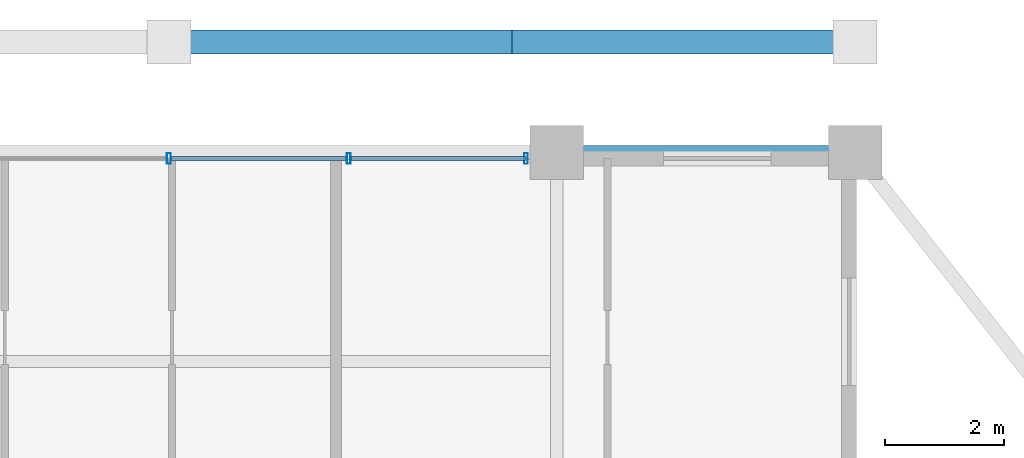
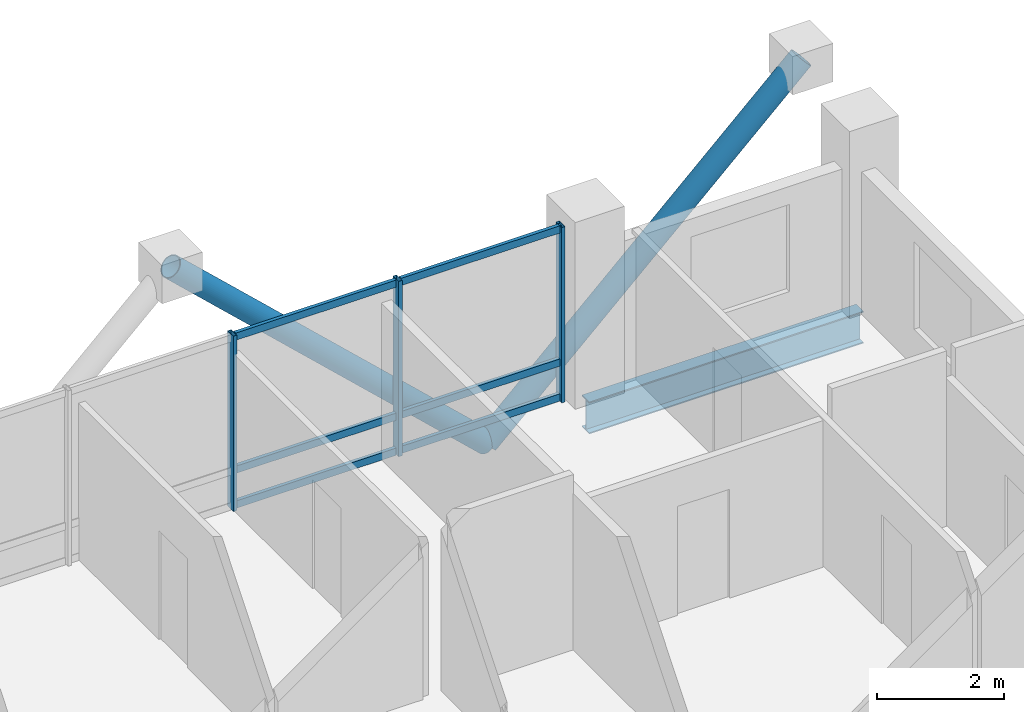
# One storey, part 16 of 23: 11 members, 1 beam, 1 element without a shape of its own.
"""IFC4 building model written with IfcOpenShell, lengths in metres."""

from ifc_helpers import new_model, si_unit, direction, frame, origin, origin_2d, place, context, subcontext, project, spatial, hollow_rectangle, hollow_circle, i_section, extrude, material, layer, layer_set, material_profile, profile_set, type_object, element, aggregate, save


model = new_model("IFC4")

# Units and contexts
model_context = context("Model", 3, precision=1e-05, world=origin(), true_north=direction((0.0, 1.0)))
body_context = subcontext(model_context, "Body", "Model", "MODEL_VIEW")
ifc_project = project(units=[si_unit("LENGTHUNIT", "METRE"), si_unit("AREAUNIT", "SQUARE_METRE"), si_unit("VOLUMEUNIT", "CUBIC_METRE"), si_unit("PLANEANGLEUNIT", "RADIAN"), si_unit("MASSUNIT", "GRAM", prefix="KILO")], contexts=[model_context])

# Site, building, storey
site_placement = place(None, origin())
site = spatial("IfcSite", under=ifc_project, at=site_placement, CompositionType="ELEMENT")
building_placement = place(site_placement, origin())
building = spatial("IfcBuilding", under=site, at=building_placement, Name="Barlavira Tower and Art Museum", CompositionType="ELEMENT")
storey_placement = place(building_placement, frame((0.0, 0.0, 236.699951171875)))
storey = spatial("IfcBuildingStorey", under=building, at=storey_placement, Name="L61", CompositionType="ELEMENT", Elevation=236.699951171875)

# Curtain wall, members
ifc_material_1 = material(Name="Low-iron coastal laminated glass", Category="glass")
ifc_layer = layer(ifc_material_1, 0.2099609375, Name="Low-iron coastal laminated glass")
ifc_layer_set = layer_set([ifc_layer], Name="Low-iron coastal laminated glass")
curtain_wall_type = type_object("IfcCurtainWallType", Name="Pale-Metal Unitised Curtain Wall Zone 4", PredefinedType="NOTDEFINED", material=ifc_layer_set)
curtain_wall_placement = place(storey_placement, origin())
curtain_wall = element("IfcCurtainWall", 1, at=curtain_wall_placement, inside=storey, type_object=curtain_wall_type, Name="L61 Curtain Wall CW4-L61-N-B2", PredefinedType="NOTDEFINED")
ifc_material_2 = material(Name="Pale anodised aluminium", Category="aluminium")
ifc_material_profile_1 = material_profile(ifc_material_2, hollow_rectangle(XDim=0.06494140625, YDim=0.179931640625, WallThickness=0.00390625, at=origin_2d()), Name="ALU-MULL 65x180x4")
ifc_profile_set_1 = profile_set([ifc_material_profile_1], Name="Pale anodised aluminium")
member_type_1 = type_object("IfcMemberType", Name="Curtain Wall Pale-Metal Mullion 65x180", PredefinedType="MULLION", material=ifc_profile_set_1)
member_1_placement = place(storey_placement, frame((5.985107421875, 19.89990234375, 0.0), z_axis=(0.0, 0.0, 1.0), x_axis=(-1.0, 0.0, 0.0)))
member_1 = element("IfcMember", 2, at=member_1_placement, type_object=member_type_1, Name="CW4-L61-N-B2 Mullion 0", PredefinedType="MULLION", context=body_context, shape_type="SweptSolid", body=[
    extrude(hollow_rectangle(XDim=0.06494140625, YDim=0.179931640625, WallThickness=0.00390625, at=origin_2d()), origin(), (0.0, 0.0, 1.0), 3.380126953125),
])
member_2_placement = place(storey_placement, frame((3.014892578125, 19.89990234375, 0.0), z_axis=(0.0, 0.0, 1.0), x_axis=(-1.0, 0.0, 0.0)))
member_2 = element("IfcMember", 3, at=member_2_placement, type_object=member_type_1, Name="CW4-L61-N-B2 Mullion 1", PredefinedType="MULLION", context=body_context, shape_type="SweptSolid", body=[
    extrude(hollow_rectangle(XDim=0.06494140625, YDim=0.179931640625, WallThickness=0.00390625, at=origin_2d()), origin(), (0.0, 0.0, 1.0), 3.380126953125),
])
member_3_placement = place(storey_placement, frame((0.0, 19.89990234375, 0.0), z_axis=(0.0, 0.0, 1.0), x_axis=(-1.0, 0.0, 0.0)))
member_3 = element("IfcMember", 4, at=member_3_placement, type_object=member_type_1, Name="CW4-L61-N-B2 Mullion 2", PredefinedType="MULLION", context=body_context, shape_type="SweptSolid", body=[
    extrude(hollow_rectangle(XDim=0.06494140625, YDim=0.179931640625, WallThickness=0.00390625, at=origin_2d()), origin(), (0.0, 0.0, 1.0), 3.380126953125),
])
ifc_material_profile_2 = material_profile(ifc_material_2, hollow_rectangle(XDim=0.06494140625, YDim=0.139892578125, WallThickness=0.00390625, at=origin_2d()), Name="ALU-TRAN 65x140x4")
ifc_profile_set_2 = profile_set([ifc_material_profile_2], Name="Pale anodised aluminium")
member_type_2 = type_object("IfcMemberType", Name="Curtain Wall Pale-Metal Transom 65x140", PredefinedType="USERDEFINED", material=ifc_profile_set_2)
member_4_placement = place(storey_placement, frame((5.985107421875, 19.89990234375, 0.070068359375), z_axis=(-1.0, 0.0, 0.0), x_axis=(0.0, -1.0, 0.0)))
member_4 = element("IfcMember", 5, at=member_4_placement, type_object=member_type_2, Name="CW4-L61-N-B2 Transom 0.1", ObjectType="TRANSOM", PredefinedType="USERDEFINED", context=body_context, shape_type="SweptSolid", body=[
    extrude(hollow_rectangle(XDim=0.06494140625, YDim=0.139892578125, WallThickness=0.00390625, at=origin_2d()), origin(), (0.0, 0.0, 1.0), 2.925048828125),
])
member_5_placement = place(storey_placement, frame((5.985107421875, 19.89990234375, 0.744140625), z_axis=(-1.0, 0.0, 0.0), x_axis=(0.0, -1.0, 0.0)))
member_5 = element("IfcMember", 6, at=member_5_placement, type_object=member_type_2, Name="CW4-L61-N-B2 Transom 0.2", ObjectType="TRANSOM", PredefinedType="USERDEFINED", context=body_context, shape_type="SweptSolid", body=[
    extrude(hollow_rectangle(XDim=0.06494140625, YDim=0.139892578125, WallThickness=0.00390625, at=origin_2d()), origin(), (0.0, 0.0, 1.0), 2.925048828125),
])
member_6_placement = place(storey_placement, frame((5.985107421875, 19.89990234375, 3.31005859375), z_axis=(-1.0, 0.0, 0.0), x_axis=(0.0, -1.0, 0.0)))
member_6 = element("IfcMember", 7, at=member_6_placement, type_object=member_type_2, Name="CW4-L61-N-B2 Transom 0.3", ObjectType="TRANSOM", PredefinedType="USERDEFINED", context=body_context, shape_type="SweptSolid", body=[
    extrude(hollow_rectangle(XDim=0.06494140625, YDim=0.139892578125, WallThickness=0.00390625, at=origin_2d()), origin(), (0.0, 0.0, 1.0), 2.925048828125),
])
member_7_placement = place(storey_placement, frame((2.969970703125, 19.89990234375, 0.070068359375), z_axis=(-1.0, 0.0, 0.0), x_axis=(0.0, -1.0, 0.0)))
member_7 = element("IfcMember", 8, at=member_7_placement, type_object=member_type_2, Name="CW4-L61-N-B2 Transom 1.1", ObjectType="TRANSOM", PredefinedType="USERDEFINED", context=body_context, shape_type="SweptSolid", body=[
    extrude(hollow_rectangle(XDim=0.06494140625, YDim=0.139892578125, WallThickness=0.00390625, at=origin_2d()), origin(), (0.0, 0.0, 1.0), 2.925048828125),
])
member_8_placement = place(storey_placement, frame((2.969970703125, 19.89990234375, 0.744140625), z_axis=(-1.0, 0.0, 0.0), x_axis=(0.0, -1.0, 0.0)))
member_8 = element("IfcMember", 9, at=member_8_placement, type_object=member_type_2, Name="CW4-L61-N-B2 Transom 1.2", ObjectType="TRANSOM", PredefinedType="USERDEFINED", context=body_context, shape_type="SweptSolid", body=[
    extrude(hollow_rectangle(XDim=0.06494140625, YDim=0.139892578125, WallThickness=0.00390625, at=origin_2d()), origin(), (0.0, 0.0, 1.0), 2.925048828125),
])
member_9_placement = place(storey_placement, frame((2.969970703125, 19.89990234375, 3.31005859375), z_axis=(-1.0, 0.0, 0.0), x_axis=(0.0, -1.0, 0.0)))
member_9 = element("IfcMember", 10, at=member_9_placement, type_object=member_type_2, Name="CW4-L61-N-B2 Transom 1.3", ObjectType="TRANSOM", PredefinedType="USERDEFINED", context=body_context, shape_type="SweptSolid", body=[
    extrude(hollow_rectangle(XDim=0.06494140625, YDim=0.139892578125, WallThickness=0.00390625, at=origin_2d()), origin(), (0.0, 0.0, 1.0), 2.925048828125),
])
aggregate(curtain_wall, [member_1, member_2, member_3, member_4, member_5, member_6, member_7, member_8, member_9])

# Members
ifc_material_3 = material(Name="Steel S355", Category="steel")
ifc_material_profile_3 = material_profile(ifc_material_3, hollow_circle(Radius=0.203125, WallThickness=0.01611328125, at=origin_2d()), Name="CHS 406.4x16.0")
ifc_profile_set_3 = profile_set([ifc_material_profile_3], Name="Steel S355")
member_type_3 = type_object("IfcMemberType", Name="Pale-Metal Exoskeleton Diagrid Tube CHS 406x16 Steel S355", PredefinedType="BRACE", material=ifc_profile_set_3)
for number, where, z_axis, x_axis, name in (
    (11, (5.75, 21.85009765625, -1.919921875), (-0.728950095515, 0.0, 0.684566839869), (0.0, -1.0, 0.0), "L61 Exoskeleton Diagrid Tube N"),
    (12, (5.75, 21.85009765625, -1.919921875), (0.728950095515, 0.0, 0.684566839869), (0.0, 1.0, 0.0), "L61 Exoskeleton Diagrid Tube N"),
):
    element("IfcMember", number, at=place(storey_placement, frame(where, z_axis=z_axis, x_axis=x_axis)), inside=storey, type_object=member_type_3, Name=name, PredefinedType="BRACE", context=body_context, shape_type="SweptSolid", body=[
        extrude(hollow_circle(Radius=0.203125, WallThickness=0.01611328125, at=origin_2d()), origin(), (0.0, 0.0, 1.0), 7.887939453125),
    ])

# Beam
ifc_material_profile_4 = material_profile(ifc_material_3, i_section(OverallWidth=0.22998046875, OverallDepth=0.616943359375, WebThickness=0.01318359375, FlangeThickness=0.022216796875, at=origin_2d()), Name="W610x140.0")
ifc_profile_set_4 = profile_set([ifc_material_profile_4], Name="Steel S355")
beam_type = type_object("IfcBeamType", Name="Upper Shaft Spandrel Edge Beam W610x140 Steel S355", PredefinedType="SPANDREL", material=ifc_profile_set_4)
beam_placement = place(storey_placement, frame((6.5, 20.0, -0.528564453125), z_axis=(1.0, 0.0, 0.0), x_axis=(0.0, 1.0, 0.0)))
element("IfcBeam", 13, at=beam_placement, inside=storey, type_object=beam_type, Name="L61 Spandrel 9", PredefinedType="SPANDREL", context=body_context, shape_type="SweptSolid", body=[
    extrude(i_section(OverallWidth=0.22998046875, OverallDepth=0.616943359375, WebThickness=0.01318359375, FlangeThickness=0.022216796875, at=origin_2d()), origin(), (0.0, 0.0, 1.0), 5.0),
])

save(model, "model.ifc")
